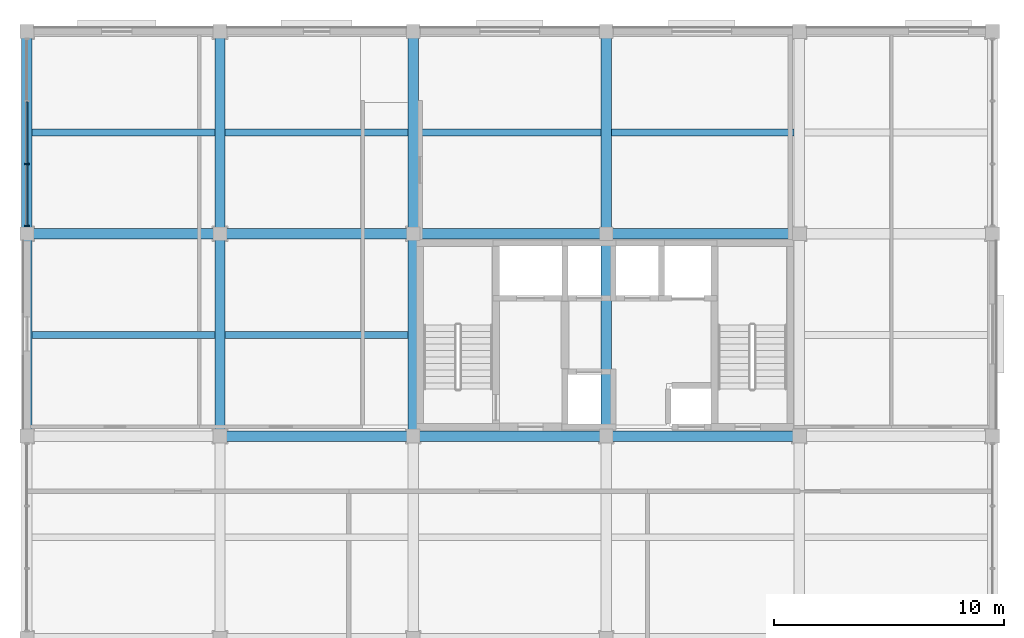
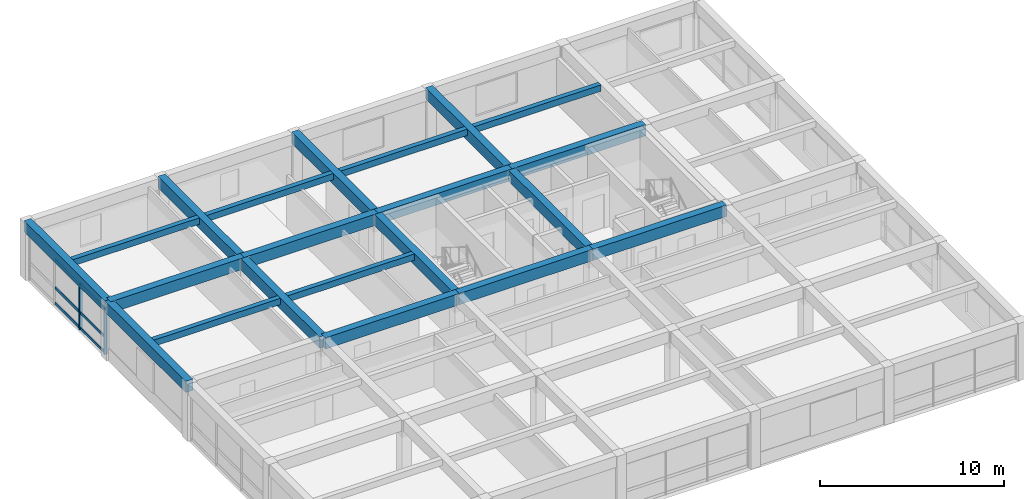
# One storey, part 3 of 14: 21 beams, 8 members, 1 element without a shape of its own.
"""IFC4 building model written with IfcOpenShell, lengths in metres."""

import ifcopenshell
import ifcopenshell.guid

model = None  # the IFC model being written
_history = None  # IfcOwnerHistory: only IFC2X3 demands one
_inside = {}  # id of a spatial element -> (the spatial element, [elements in it])
_under = {}  # id of a project, library or spatial element -> (it, [spatial elements below it])
_declared = {}  # id of a project -> (the project, [libraries it declares])
_typed = {}  # id of a type object -> (the type object, [elements of that type])
_made_of = {}  # id of a material, layer set ... -> (it, [elements and type objects made of it])


def new_model(schema):
    """Start an empty IFC model of exactly this schema.

    Asked for "IFC4X3", IfcOpenShell would pick the latest addendum, in which some entities
    have other attributes; the version numbers below select the first issue.
    IFC2X3 requires an IfcOwnerHistory on every rooted entity: one is made here for all.
    """
    global model, _history
    if schema == "IFC4X3":
        model = ifcopenshell.file(schema_version=(4, 3, 0, 0))
    else:
        model = ifcopenshell.file(schema=schema)
    _inside.clear()
    _under.clear()
    _declared.clear()
    _typed.clear()
    _made_of.clear()
    _history = None
    if model.schema == "IFC2X3":
        org = make("IfcOrganization", Name="unknown")
        user = make(
            "IfcPersonAndOrganization",
            ThePerson=make("IfcPerson", FamilyName="unknown"),
            TheOrganization=org,
        )
        app = make(
            "IfcApplication",
            ApplicationDeveloper=org,
            Version="unknown",
            ApplicationFullName="unknown",
            ApplicationIdentifier="unknown",
        )
        _history = make(
            "IfcOwnerHistory",
            OwningUser=user,
            OwningApplication=app,
            ChangeAction="ADDED",
            CreationDate=0,
        )
    return model


def make(cls, **values):
    """One entity of the class cls with the attributes given. An attribute that is None is left unset."""
    return model.create_entity(
        cls, **{name: value for name, value in values.items() if value is not None}
    )


def rooted(cls, **values):
    """An entity with a GlobalId (a new one), such as an element, a storey or a relation."""
    return make(cls, GlobalId=ifcopenshell.guid.new(), OwnerHistory=_history, **values)


def si_unit(unit_type, name, prefix=None):
    """IfcSIUnit, for example si_unit("LENGTHUNIT", "METRE", prefix="MILLI")."""
    return make("IfcSIUnit", UnitType=unit_type, Prefix=prefix, Name=name)


def assignment(units):
    """IfcUnitAssignment: the units of a project."""
    return None if units is None else make("IfcUnitAssignment", Units=units)


def point(xyz):
    """IfcCartesianPoint."""
    return None if xyz is None else make("IfcCartesianPoint", Coordinates=xyz)


def direction(xyz):
    """IfcDirection."""
    return None if xyz is None else make("IfcDirection", DirectionRatios=xyz)


def frame(location, z_axis=None, x_axis=None):
    """IfcAxis2Placement3D, a coordinate frame: its origin and axes. An axis left out is left unset."""
    return make(
        "IfcAxis2Placement3D",
        Location=point(location),
        Axis=direction(z_axis),
        RefDirection=direction(x_axis),
    )


def frame_2d(location, x_axis=None):
    """IfcAxis2Placement2D, a coordinate frame in the plane: its origin and x axis."""
    return make(
        "IfcAxis2Placement2D", Location=point(location), RefDirection=direction(x_axis)
    )


def origin():
    """The frame at (0, 0, 0) with its axes left unset."""
    return frame((0.0, 0.0, 0.0))


def origin_2d():
    """The frame at (0, 0) in the plane with its x axis left unset."""
    return frame_2d((0.0, 0.0))


def place(relative_to, where):
    """IfcLocalPlacement: puts the frame where relative to a parent placement (None: the world)."""
    return make(
        "IfcLocalPlacement", PlacementRelTo=relative_to, RelativePlacement=where
    )


def context(
    kind, dimensions, precision=None, world=None, true_north=None, identifier=None
):
    """IfcGeometricRepresentationContext, for example the 3D "Model" context."""
    return make(
        "IfcGeometricRepresentationContext",
        ContextIdentifier=identifier,
        ContextType=kind,
        CoordinateSpaceDimension=dimensions,
        Precision=precision,
        WorldCoordinateSystem=world,
        TrueNorth=true_north,
    )


def subcontext(parent, identifier, kind, view, scale=None):
    """IfcGeometricRepresentationSubContext, for example "Body" below "Model"."""
    return make(
        "IfcGeometricRepresentationSubContext",
        ContextIdentifier=identifier,
        ContextType=kind,
        ParentContext=parent,
        TargetScale=scale,
        TargetView=view,
    )


def project(units=None, contexts=None):
    """IfcProject with its units and contexts."""
    return rooted(
        "IfcProject",
        Name="project",
        RepresentationContexts=contexts,
        UnitsInContext=assignment(units),
    )


def spatial(cls, under=None, at=None, **own):
    """A site, building, storey or space (cls), placed at a placement, below another one or the project."""
    s = rooted(cls, ObjectPlacement=at, **own)
    if under is not None:
        _under.setdefault(under.id(), (under, []))[1].append(s)
    return s


def profile(cls, at=None, kind="AREA", **sizes):
    """A parametric profile (cls). Its sizes go by their IFC names, for example OverallWidth=200.0."""
    return make(cls, ProfileType=kind, Position=at, **sizes)


def rectangle(**sizes):
    """IfcRectangleProfileDef."""
    return profile("IfcRectangleProfileDef", **sizes)


def extrude(swept, where, along, depth):
    """IfcExtrudedAreaSolid: the profile swept, set in the frame where, extruded along a direction by depth."""
    return make(
        "IfcExtrudedAreaSolid",
        SweptArea=swept,
        Position=where,
        ExtrudedDirection=direction(along),
        Depth=depth,
    )


def shape(context_of_items, identifier, shape_type, items):
    """IfcShapeRepresentation: the items that make up one representation, for example the "Body"."""
    return make(
        "IfcShapeRepresentation",
        ContextOfItems=context_of_items,
        RepresentationIdentifier=identifier,
        RepresentationType=shape_type,
        Items=items,
    )


def material(Name=None, Category=None):
    """IfcMaterial."""
    return make("IfcMaterial", Name=Name, Category=Category)


def material_profile(
    of_material, cross_section, Name=None, Category=None, Priority=None
):
    """IfcMaterialProfile: a cross section and its material."""
    return make(
        "IfcMaterialProfile",
        Name=Name,
        Material=of_material,
        Profile=cross_section,
        Priority=Priority,
        Category=Category,
    )


def profile_set(profiles, Name=None, composite=None):
    """IfcMaterialProfileSet."""
    return make(
        "IfcMaterialProfileSet",
        Name=Name,
        MaterialProfiles=profiles,
        CompositeProfile=composite,
    )


def made_of(thing, what):
    """Note that an element or type object is made of a material, layer set ...; save() writes the relation."""
    if what is not None:
        _made_of.setdefault(what.id(), (what, []))[1].append(thing)
    return thing


def type_object(cls, material=None, **own):
    """A type object (cls), such as IfcWallType, which elements share."""
    return made_of(rooted(cls, **own), material)


def element(
    cls,
    number,
    at=None,
    inside=None,
    cuts=None,
    type_object=None,
    material=None,
    context=None,
    identifier="Body",
    shape_type=None,
    held_by="IfcProductDefinitionShape",
    body=None,
    shapes=None,
    **own,
):
    """One element of the class cls, such as IfcWall. Its Tag is "e" and its number.

    at: its placement. inside: the storey or other place that contains it. cuts: it is an
    opening in that element (IfcRelVoidsElement). A single representation is given by context,
    identifier, shape_type and body (its items); several are given by shapes. held_by: the class
    of the entity that holds the representations. save() writes the other relations.
    """
    e = rooted(cls, Tag="e%d" % number, ObjectPlacement=at, **own)
    if body is not None:
        shapes = [shape(context, identifier, shape_type, body)]
    if shapes is not None:
        e.Representation = make(held_by, Representations=shapes)
    if inside is not None:
        _inside.setdefault(inside.id(), (inside, []))[1].append(e)
    if cuts is not None:
        rooted(
            "IfcRelVoidsElement", RelatingBuildingElement=cuts, RelatedOpeningElement=e
        )
    if type_object is not None:
        _typed.setdefault(type_object.id(), (type_object, []))[1].append(e)
    return made_of(e, material)


def aggregate(whole, parts):
    """IfcRelAggregates: a whole, such as a stair, and the parts it consists of."""
    return rooted("IfcRelAggregates", RelatingObject=whole, RelatedObjects=parts)


def save(model, path):
    """Write the relations noted so far, then the file.

    IfcRelAggregates (storeys below a building ...), IfcRelContainedInSpatialStructure (elements
    in a storey), IfcRelDefinesByType, IfcRelAssociatesMaterial and IfcRelDeclares: one each for
    every whole, place, type object, material and project.
    """
    for whole, parts in _under.values():
        aggregate(whole, parts)
    for where, things in _inside.values():
        rooted(
            "IfcRelContainedInSpatialStructure",
            RelatedElements=things,
            RelatingStructure=where,
        )
    for kind, things in _typed.values():
        rooted("IfcRelDefinesByType", RelatedObjects=things, RelatingType=kind)
    for what, things in _made_of.values():
        rooted("IfcRelAssociatesMaterial", RelatedObjects=things, RelatingMaterial=what)
    for by, libraries in _declared.values():
        rooted("IfcRelDeclares", RelatingContext=by, RelatedDefinitions=libraries)
    model.write(path)


model = new_model("IFC4")

# Units and contexts
model_context = context("Model", 3, precision=1e-05, world=origin(), true_north=direction((0.0, 1.0)))
body_context = subcontext(model_context, "Body", "Model", "MODEL_VIEW")
ifc_project = project(units=[si_unit("LENGTHUNIT", "METRE"), si_unit("AREAUNIT", "SQUARE_METRE"), si_unit("VOLUMEUNIT", "CUBIC_METRE"), si_unit("PLANEANGLEUNIT", "RADIAN"), si_unit("MASSUNIT", "GRAM", prefix="KILO")], contexts=[model_context])

# Site, building, storey
site_placement = place(None, origin())
site = spatial("IfcSite", under=ifc_project, at=site_placement, CompositionType="ELEMENT")
building_placement = place(site_placement, origin())
building = spatial("IfcBuilding", under=site, at=building_placement, Name="Kemercrest Conservatory and Botanical Centre", CompositionType="ELEMENT")
storey_placement = place(building_placement, frame((0.0, 0.0, 44.39990234375)))
storey = spatial("IfcBuildingStorey", under=building, at=storey_placement, Name="L11", CompositionType="ELEMENT", Elevation=44.39990234375)

# Beams
ifc_material_1 = material(Name="Concrete C40/50", Category="concrete")
ifc_material_profile_1 = material_profile(ifc_material_1, rectangle(XDim=0.449951171875, YDim=0.75, at=origin_2d()), Name="RC 450x750")
ifc_profile_set_1 = profile_set([ifc_material_profile_1], Name="Concrete C40/50")
beam_type_1 = type_object("IfcBeamType", Name="BM-RC75", PredefinedType="BEAM", material=ifc_profile_set_1)
beam_1_placement = place(storey_placement, frame((142.39990234375, 104.800048828125, 3.425048828125), z_axis=(1.0, 0.0, 0.0), x_axis=(0.0, 1.0, 0.0)))
element("IfcBeam", 1, at=beam_1_placement, inside=storey, type_object=beam_type_1, Name="V4-L12 beam BM-RC75 M/17-18", PredefinedType="BEAM", context=body_context, shape_type="SweptSolid", body=[
    extrude(rectangle(XDim=0.449951171875, YDim=0.75, at=origin_2d()), origin(), (0.0, 0.0, 1.0), 8.400146484375),
])
beam_2_placement = place(storey_placement, frame((150.800048828125, 104.800048828125, 3.425048828125), z_axis=(1.0, 0.0, 0.0), x_axis=(0.0, 1.0, 0.0)))
element("IfcBeam", 2, at=beam_2_placement, inside=storey, type_object=beam_type_1, Name="V4-L12 beam BM-RC75 M/18-19", PredefinedType="BEAM", context=body_context, shape_type="SweptSolid", body=[
    extrude(rectangle(XDim=0.449951171875, YDim=0.75, at=origin_2d()), origin(), (0.0, 0.0, 1.0), 8.39990234375),
])
beam_3_placement = place(storey_placement, frame((159.199951171875, 104.800048828125, 3.425048828125), z_axis=(1.0, 0.0, 0.0), x_axis=(0.0, 1.0, 0.0)))
element("IfcBeam", 3, at=beam_3_placement, inside=storey, type_object=beam_type_1, Name="V4-L12 beam BM-RC75 M/19-20", PredefinedType="BEAM", context=body_context, shape_type="SweptSolid", body=[
    extrude(rectangle(XDim=0.449951171875, YDim=0.75, at=origin_2d()), origin(), (0.0, 0.0, 1.0), 8.400146484375),
])
beam_4_placement = place(storey_placement, frame((134.0, 113.60009765625, 3.425048828125), z_axis=(1.0, 0.0, 0.0), x_axis=(0.0, 1.0, 0.0)))
element("IfcBeam", 4, at=beam_4_placement, inside=storey, type_object=beam_type_1, Name="V4-L12 beam BM-RC75 N/16-17", PredefinedType="BEAM", context=body_context, shape_type="SweptSolid", body=[
    extrude(rectangle(XDim=0.449951171875, YDim=0.75, at=origin_2d()), origin(), (0.0, 0.0, 1.0), 8.39990234375),
])
beam_5_placement = place(storey_placement, frame((142.39990234375, 113.60009765625, 3.425048828125), z_axis=(1.0, 0.0, 0.0), x_axis=(0.0, 1.0, 0.0)))
element("IfcBeam", 5, at=beam_5_placement, inside=storey, type_object=beam_type_1, Name="V4-L12 beam BM-RC75 N/17-18", PredefinedType="BEAM", context=body_context, shape_type="SweptSolid", body=[
    extrude(rectangle(XDim=0.449951171875, YDim=0.75, at=origin_2d()), origin(), (0.0, 0.0, 1.0), 8.400146484375),
])
beam_6_placement = place(storey_placement, frame((150.800048828125, 113.60009765625, 3.425048828125), z_axis=(1.0, 0.0, 0.0), x_axis=(0.0, 1.0, 0.0)))
element("IfcBeam", 6, at=beam_6_placement, inside=storey, type_object=beam_type_1, Name="V4-L12 beam BM-RC75 N/18-19", PredefinedType="BEAM", context=body_context, shape_type="SweptSolid", body=[
    extrude(rectangle(XDim=0.449951171875, YDim=0.75, at=origin_2d()), origin(), (0.0, 0.0, 1.0), 8.39990234375),
])
beam_7_placement = place(storey_placement, frame((159.199951171875, 113.60009765625, 3.425048828125), z_axis=(1.0, 0.0, 0.0), x_axis=(0.0, 1.0, 0.0)))
element("IfcBeam", 7, at=beam_7_placement, inside=storey, type_object=beam_type_1, Name="V4-L12 beam BM-RC75 N/19-20", PredefinedType="BEAM", context=body_context, shape_type="SweptSolid", body=[
    extrude(rectangle(XDim=0.449951171875, YDim=0.75, at=origin_2d()), origin(), (0.0, 0.0, 1.0), 8.400146484375),
])
beam_8_placement = place(storey_placement, frame((142.39990234375, 104.800048828125, 3.425048828125), z_axis=(0.0, 1.0, 0.0), x_axis=(-1.0, 0.0, 0.0)))
element("IfcBeam", 8, at=beam_8_placement, inside=storey, type_object=beam_type_1, Name="V4-L12 beam BM-RC75 17/M-N", PredefinedType="BEAM", context=body_context, shape_type="SweptSolid", body=[
    extrude(rectangle(XDim=0.449951171875, YDim=0.75, at=origin_2d()), origin(), (0.0, 0.0, 1.0), 8.800048828125),
])
beam_9_placement = place(storey_placement, frame((142.39990234375, 113.60009765625, 3.425048828125), z_axis=(0.0, 1.0, 0.0), x_axis=(-1.0, 0.0, 0.0)))
element("IfcBeam", 9, at=beam_9_placement, inside=storey, type_object=beam_type_1, Name="V4-L12 beam BM-RC75 17/N-P", PredefinedType="BEAM", context=body_context, shape_type="SweptSolid", body=[
    extrude(rectangle(XDim=0.449951171875, YDim=0.75, at=origin_2d()), origin(), (0.0, 0.0, 1.0), 8.7998046875),
])
beam_10_placement = place(storey_placement, frame((150.800048828125, 104.800048828125, 3.425048828125), z_axis=(0.0, 1.0, 0.0), x_axis=(-1.0, 0.0, 0.0)))
element("IfcBeam", 10, at=beam_10_placement, inside=storey, type_object=beam_type_1, Name="V4-L12 beam BM-RC75 18/M-N", PredefinedType="BEAM", context=body_context, shape_type="SweptSolid", body=[
    extrude(rectangle(XDim=0.449951171875, YDim=0.75, at=origin_2d()), origin(), (0.0, 0.0, 1.0), 8.800048828125),
])
beam_11_placement = place(storey_placement, frame((150.800048828125, 113.60009765625, 3.425048828125), z_axis=(0.0, 1.0, 0.0), x_axis=(-1.0, 0.0, 0.0)))
element("IfcBeam", 11, at=beam_11_placement, inside=storey, type_object=beam_type_1, Name="V4-L12 beam BM-RC75 18/N-P", PredefinedType="BEAM", context=body_context, shape_type="SweptSolid", body=[
    extrude(rectangle(XDim=0.449951171875, YDim=0.75, at=origin_2d()), origin(), (0.0, 0.0, 1.0), 8.7998046875),
])
beam_12_placement = place(storey_placement, frame((159.199951171875, 104.800048828125, 3.425048828125), z_axis=(0.0, 1.0, 0.0), x_axis=(-1.0, 0.0, 0.0)))
element("IfcBeam", 12, at=beam_12_placement, inside=storey, type_object=beam_type_1, Name="V4-L12 beam BM-RC75 19/M-N", PredefinedType="BEAM", context=body_context, shape_type="SweptSolid", body=[
    extrude(rectangle(XDim=0.449951171875, YDim=0.75, at=origin_2d()), origin(), (0.0, 0.0, 1.0), 8.800048828125),
])
beam_13_placement = place(storey_placement, frame((159.199951171875, 113.60009765625, 3.425048828125), z_axis=(0.0, 1.0, 0.0), x_axis=(-1.0, 0.0, 0.0)))
element("IfcBeam", 13, at=beam_13_placement, inside=storey, type_object=beam_type_1, Name="V4-L12 beam BM-RC75 19/N-P", PredefinedType="BEAM", context=body_context, shape_type="SweptSolid", body=[
    extrude(rectangle(XDim=0.449951171875, YDim=0.75, at=origin_2d()), origin(), (0.0, 0.0, 1.0), 8.7998046875),
])

# Curtain wall, members
ifc_material_2 = material(Name="Thermally broken aluminium and triple low-e glazing", Category="aluminium")
curtain_wall_type = type_object("IfcCurtainWallType", Name="CW-07", PredefinedType="USERDEFINED", material=ifc_material_2)
curtain_wall_placement = place(storey_placement, origin())
curtain_wall = element("IfcCurtainWall", 14, at=curtain_wall_placement, inside=storey, type_object=curtain_wall_type, Name="Unitised curtain wall CW-07 (CW:L11:V4-126)", ObjectType="UNITISED CURTAIN WALL", PredefinedType="USERDEFINED")
ifc_material_3 = material(Name="Thermally broken anodized aluminium 6063-T6", Category="aluminium")
ifc_material_profile_2 = material_profile(ifc_material_3, rectangle(XDim=0.199951171875, YDim=0.06494140625, at=origin_2d()), Name="AL MULLION 65x200")
ifc_profile_set_2 = profile_set([ifc_material_profile_2], Name="Thermally broken anodized aluminium 6063-T6")
member_type_1 = type_object("IfcMemberType", Name="CW-M200", PredefinedType="MULLION", material=ifc_profile_set_2)
member_1_placement = place(storey_placement, frame((134.0, 116.631591796875, 0.0), z_axis=(0.0, 0.0, 1.0), x_axis=(1.0, 0.0, 0.0)))
member_1 = element("IfcMember", 15, at=member_1_placement, type_object=member_type_1, Name="CW-07 mullion 3", PredefinedType="MULLION", context=body_context, shape_type="SweptSolid", body=[
    extrude(rectangle(XDim=0.199951171875, YDim=0.06494140625, at=origin_2d()), origin(), (0.0, 0.0, 1.0), 3.05517578125),
])
member_2_placement = place(storey_placement, frame((134.0, 113.927490234375, 0.0), z_axis=(0.0, 0.0, 1.0), x_axis=(1.0, 0.0, 0.0)))
member_2 = element("IfcMember", 16, at=member_2_placement, type_object=member_type_1, Name="CW-07 mullion 4", PredefinedType="MULLION", context=body_context, shape_type="SweptSolid", body=[
    extrude(rectangle(XDim=0.199951171875, YDim=0.06494140625, at=origin_2d()), origin(), (0.0, 0.0, 1.0), 3.05517578125),
])
ifc_material_profile_3 = material_profile(ifc_material_3, rectangle(XDim=0.074951171875, YDim=0.179931640625, at=origin_2d()), Name="AL TRANSOM 75x180")
ifc_profile_set_3 = profile_set([ifc_material_profile_3], Name="Thermally broken anodized aluminium 6063-T6")
member_type_2 = type_object("IfcMemberType", Name="CW-T180", PredefinedType="USERDEFINED", material=ifc_profile_set_3)
member_3_placement = place(storey_placement, frame((134.0, 119.3359375, 0.090087890625), z_axis=(0.0, -1.0, 0.0), x_axis=(1.0, 0.0, 0.0)))
member_3 = element("IfcMember", 17, at=member_3_placement, type_object=member_type_2, Name="CW-07 transom 2.1", ObjectType="TRANSOM", PredefinedType="USERDEFINED", context=body_context, shape_type="SweptSolid", body=[
    extrude(rectangle(XDim=0.074951171875, YDim=0.179931640625, at=origin_2d()), origin(), (0.0, 0.0, 1.0), 2.671875),
])
member_4_placement = place(storey_placement, frame((134.0, 119.3359375, 1.1201171875), z_axis=(0.0, -1.0, 0.0), x_axis=(1.0, 0.0, 0.0)))
member_4 = element("IfcMember", 18, at=member_4_placement, type_object=member_type_2, Name="CW-07 transom 2.2", ObjectType="TRANSOM", PredefinedType="USERDEFINED", context=body_context, shape_type="SweptSolid", body=[
    extrude(rectangle(XDim=0.074951171875, YDim=0.179931640625, at=origin_2d()), origin(), (0.0, 0.0, 1.0), 2.671875),
])
member_5_placement = place(storey_placement, frame((134.0, 119.3359375, 2.965087890625), z_axis=(0.0, -1.0, 0.0), x_axis=(1.0, 0.0, 0.0)))
member_5 = element("IfcMember", 19, at=member_5_placement, type_object=member_type_2, Name="CW-07 transom 2.3", ObjectType="TRANSOM", PredefinedType="USERDEFINED", context=body_context, shape_type="SweptSolid", body=[
    extrude(rectangle(XDim=0.074951171875, YDim=0.179931640625, at=origin_2d()), origin(), (0.0, 0.0, 1.0), 2.671875),
])
member_6_placement = place(storey_placement, frame((134.0, 116.59912109375, 0.090087890625), z_axis=(0.0, -1.0, 0.0), x_axis=(1.0, 0.0, 0.0)))
member_6 = element("IfcMember", 20, at=member_6_placement, type_object=member_type_2, Name="CW-07 transom 3.1", ObjectType="TRANSOM", PredefinedType="USERDEFINED", context=body_context, shape_type="SweptSolid", body=[
    extrude(rectangle(XDim=0.074951171875, YDim=0.179931640625, at=origin_2d()), origin(), (0.0, 0.0, 1.0), 2.63916015625),
])
member_7_placement = place(storey_placement, frame((134.0, 116.59912109375, 1.1201171875), z_axis=(0.0, -1.0, 0.0), x_axis=(1.0, 0.0, 0.0)))
member_7 = element("IfcMember", 21, at=member_7_placement, type_object=member_type_2, Name="CW-07 transom 3.2", ObjectType="TRANSOM", PredefinedType="USERDEFINED", context=body_context, shape_type="SweptSolid", body=[
    extrude(rectangle(XDim=0.074951171875, YDim=0.179931640625, at=origin_2d()), origin(), (0.0, 0.0, 1.0), 2.63916015625),
])
member_8_placement = place(storey_placement, frame((134.0, 116.59912109375, 2.965087890625), z_axis=(0.0, -1.0, 0.0), x_axis=(1.0, 0.0, 0.0)))
member_8 = element("IfcMember", 22, at=member_8_placement, type_object=member_type_2, Name="CW-07 transom 3.3", ObjectType="TRANSOM", PredefinedType="USERDEFINED", context=body_context, shape_type="SweptSolid", body=[
    extrude(rectangle(XDim=0.074951171875, YDim=0.179931640625, at=origin_2d()), origin(), (0.0, 0.0, 1.0), 2.63916015625),
])
aggregate(curtain_wall, [member_1, member_2, member_3, member_4, member_5, member_6, member_7, member_8])

# Beams
ifc_material_profile_4 = material_profile(ifc_material_1, rectangle(XDim=0.300048828125, YDim=0.419921875, at=origin_2d()), Name="RC 300x420")
ifc_profile_set_4 = profile_set([ifc_material_profile_4], Name="Concrete C40/50")
beam_type_2 = type_object("IfcBeamType", Name="JS-RC42", PredefinedType="JOIST", material=ifc_profile_set_4)
for number, where, z_axis, x_axis, name in (
    (23, (134.22509765625, 109.199951171875, 3.590087890625), (1.0, 0.0, 0.0), (0.0, 1.0, 0.0), "V4-L12 secondary joist JS-RC42"),
    (24, (142.625, 109.199951171875, 3.590087890625), (1.0, 0.0, 0.0), (0.0, 1.0, 0.0), "V4-L12 secondary joist JS-RC42"),
    (25, (134.22509765625, 118.0, 3.590087890625), (1.0, 0.0, 0.0), (0.0, 1.0, 0.0), "V4-L12 secondary joist JS-RC42"),
    (26, (142.625, 118.0, 3.590087890625), (1.0, 0.0, 0.0), (0.0, 1.0, 0.0), "V4-L12 secondary joist JS-RC42"),
):
    element("IfcBeam", number, at=place(storey_placement, frame(where, z_axis=z_axis, x_axis=x_axis)), inside=storey, type_object=beam_type_2, Name=name, PredefinedType="JOIST", context=body_context, shape_type="SweptSolid", body=[
        extrude(rectangle(XDim=0.300048828125, YDim=0.419921875, at=origin_2d()), origin(), (0.0, 0.0, 1.0), 7.949951171875),
    ])
beam_14_placement = place(storey_placement, frame((151.02490234375, 118.0, 3.590087890625), z_axis=(1.0, 0.0, 0.0), x_axis=(0.0, 1.0, 0.0)))
element("IfcBeam", 27, at=beam_14_placement, inside=storey, type_object=beam_type_2, Name="V4-L12 secondary joist JS-RC42", PredefinedType="JOIST", context=body_context, shape_type="SweptSolid", body=[
    extrude(rectangle(XDim=0.300048828125, YDim=0.419921875, at=origin_2d()), origin(), (0.0, 0.0, 1.0), 7.9501953125),
])
beam_15_placement = place(storey_placement, frame((159.425048828125, 118.0, 3.590087890625), z_axis=(1.0, 0.0, 0.0), x_axis=(0.0, 1.0, 0.0)))
element("IfcBeam", 28, at=beam_15_placement, inside=storey, type_object=beam_type_2, Name="V4-L12 secondary joist JS-RC42", PredefinedType="JOIST", context=body_context, shape_type="SweptSolid", body=[
    extrude(rectangle(XDim=0.300048828125, YDim=0.419921875, at=origin_2d()), origin(), (0.0, 0.0, 1.0), 7.949951171875),
])
ifc_material_profile_5 = material_profile(ifc_material_1, rectangle(XDim=0.449951171875, YDim=0.75, at=origin_2d()), Name="RC 450x750")
ifc_profile_set_5 = profile_set([ifc_material_profile_5], Name="Concrete C40/50")
beam_type_3 = type_object("IfcBeamType", Name="SP-RC75", PredefinedType="SPANDREL", material=ifc_profile_set_5)
beam_16_placement = place(storey_placement, frame((134.0, 104.800048828125, 3.425048828125), z_axis=(0.0, 1.0, 0.0), x_axis=(-1.0, 0.0, 0.0)))
element("IfcBeam", 29, at=beam_16_placement, inside=storey, type_object=beam_type_3, Name="V4-L12 beam SP-RC75 16/M-N", PredefinedType="SPANDREL", context=body_context, shape_type="SweptSolid", body=[
    extrude(rectangle(XDim=0.449951171875, YDim=0.75, at=origin_2d()), origin(), (0.0, 0.0, 1.0), 8.800048828125),
])
beam_17_placement = place(storey_placement, frame((134.0, 113.60009765625, 3.425048828125), z_axis=(0.0, 1.0, 0.0), x_axis=(-1.0, 0.0, 0.0)))
element("IfcBeam", 30, at=beam_17_placement, inside=storey, type_object=beam_type_3, Name="V4-L12 beam SP-RC75 16/N-P", PredefinedType="SPANDREL", context=body_context, shape_type="SweptSolid", body=[
    extrude(rectangle(XDim=0.449951171875, YDim=0.75, at=origin_2d()), origin(), (0.0, 0.0, 1.0), 8.7998046875),
])

save(model, "model.ifc")
